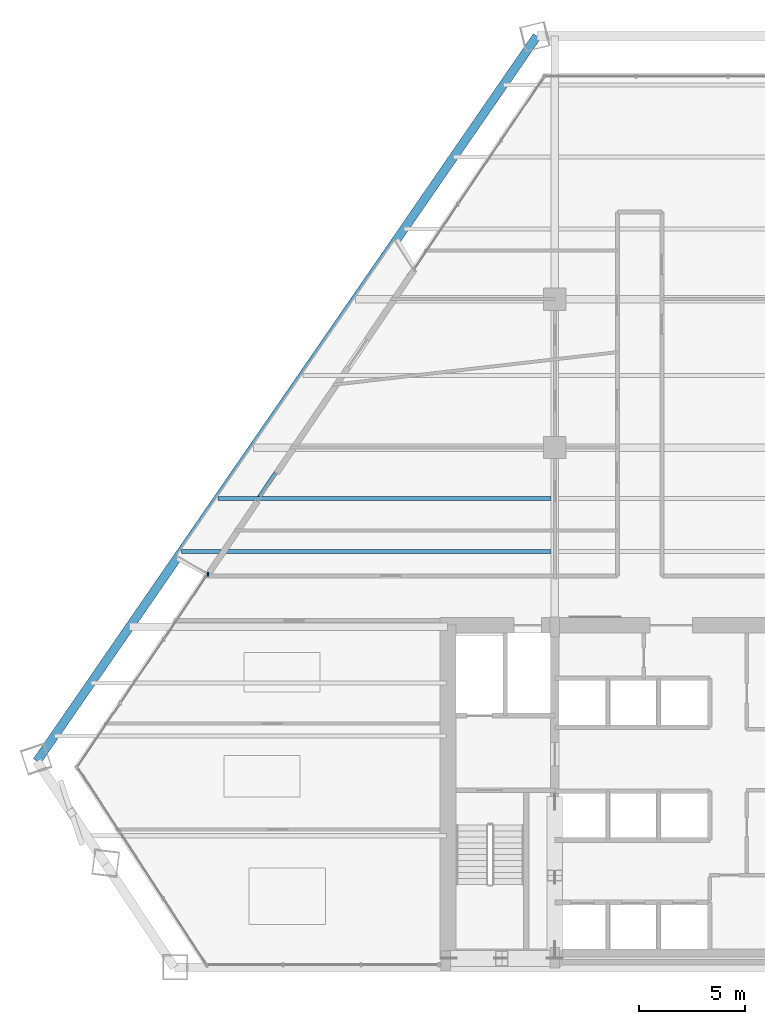
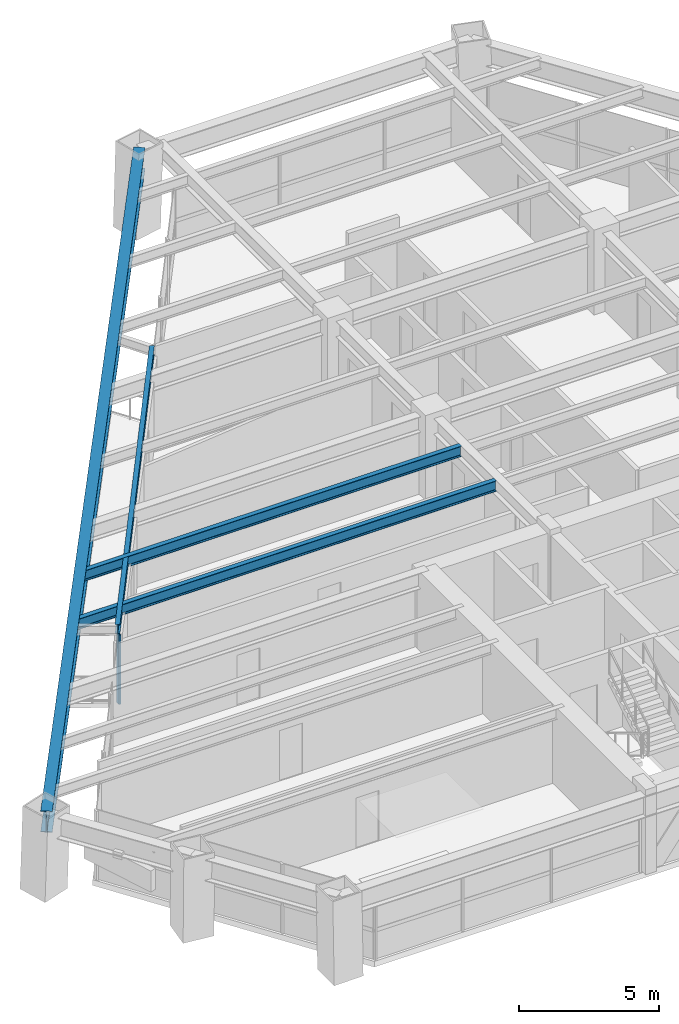
# One storey, part 4 of 14: 4 beams, 1 member, 1 element without a shape of its own.
"""IFC4 building model written with IfcOpenShell, lengths in metres."""

from ifc_helpers import new_model, si_unit, direction, frame, origin, origin_2d, place, context, subcontext, project, spatial, rectangle, i_section, extrude, source, transform, mapped, material, material_profile, profile_set, type_object, type_shapes, element, aggregate, save


model = new_model("IFC4")

# Units and contexts
model_context = context("Model", 3, precision=1e-05, world=origin(), true_north=direction((0.0, 1.0)))
body_context = subcontext(model_context, "Body", "Model", "MODEL_VIEW")
ifc_project = project(units=[si_unit("LENGTHUNIT", "METRE"), si_unit("AREAUNIT", "SQUARE_METRE"), si_unit("VOLUMEUNIT", "CUBIC_METRE"), si_unit("PLANEANGLEUNIT", "RADIAN"), si_unit("MASSUNIT", "GRAM", prefix="KILO")], contexts=[model_context])

# Site, building, storey
site_placement = place(None, origin())
site = spatial("IfcSite", under=ifc_project, at=site_placement, CompositionType="ELEMENT")
building_placement = place(site_placement, origin())
building = spatial("IfcBuilding", under=site, at=building_placement, Name="Varnakhor Terracotta Tower", CompositionType="ELEMENT")
storey_placement = place(building_placement, frame((0.0, 0.0, 80.300048828125)))
storey = spatial("IfcBuildingStorey", under=building, at=storey_placement, Name="L19", CompositionType="ELEMENT", Elevation=80.300048828125)

# Beams
ifc_material_1 = material(Name="Steel S355", Category="steel")
ifc_material_profile_1 = material_profile(ifc_material_1, i_section(OverallWidth=0.41796875, OverallDepth=0.927001953125, WebThickness=0.01904296875, FlangeThickness=0.031982421875, FilletRadius=0.01806640625, at=origin_2d()), Name="W36X231")
ifc_profile_set_1 = profile_set([ifc_material_profile_1], Name="Steel S355")
beam_type_1 = type_object("IfcBeamType", Name="BM-W36X231", PredefinedType="BEAM", material=ifc_profile_set_1)
shared_shape_1 = source(origin(), body_context, "Body", "SweptSolid", [
    extrude(i_section(OverallWidth=0.41796875, OverallDepth=0.927001953125, WebThickness=0.01904296875, FlangeThickness=0.031982421875, FilletRadius=0.01806640625, at=origin_2d()), origin(), (0.0, 0.0, 1.0), 41.53076171875),
])
beam_1_placement = place(storey_placement, frame((-6.335693359375, 43.902587890625, 2.986572265625), z_axis=(-0.567697101343, -0.823237511977, 0.0), x_axis=(0.823237511977, -0.567697101343, 0.0)))
element("IfcBeam", 1, at=beam_1_placement, inside=storey, type_object=beam_type_1, Name="L19 Perimeter Spandrel 6", PredefinedType="BEAM", context=body_context, shape_type="MappedRepresentation", body=[
    mapped(shared_shape_1, transform((0.0, 0.0, 0.0), scale=1.0)),
])
ifc_material_profile_2 = material_profile(ifc_material_1, i_section(OverallWidth=0.179931640625, OverallDepth=0.39990234375, WebThickness=0.008544921875, FlangeThickness=0.013427734375, FilletRadius=0.01806640625, at=origin_2d()), Name="IPE400")
ifc_profile_set_2 = profile_set([ifc_material_profile_2], Name="Steel S355")
beam_type_2 = type_object("IfcBeamType", Name="JST-IPE400", PredefinedType="JOIST", material=ifc_profile_set_2)
shared_shape_2 = source(origin(), body_context, "Body", "SweptSolid", [
    extrude(i_section(OverallWidth=0.179931640625, OverallDepth=0.39990234375, WebThickness=0.008544921875, FlangeThickness=0.013427734375, FilletRadius=0.01806640625, at=origin_2d()), origin(), (0.0, 0.0, 1.0), 17.43359375),
])
beam_2_placement = place(storey_placement, frame((-12.1357421875, 32.962646484375, 3.25), z_axis=(-0.559911719837, -0.828552271126, 0.0), x_axis=(0.828552271126, -0.559911719837, 0.0)))
element("IfcBeam", 2, at=beam_2_placement, inside=storey, type_object=beam_type_2, Name="L19 Loggia Edge Beam 2", PredefinedType="JOIST", context=body_context, shape_type="MappedRepresentation", body=[
    mapped(shared_shape_2, transform((0.0, 0.0, 0.0), scale=1.0)),
])
ifc_material_profile_3 = material_profile(ifc_material_1, i_section(OverallWidth=0.19189453125, OverallDepth=0.462890625, WebThickness=0.010498046875, FlangeThickness=0.017578125, FilletRadius=0.01806640625, at=origin_2d()), Name="W18X60")
ifc_profile_set_3 = profile_set([ifc_material_profile_3], Name="Steel S355")
beam_type_3 = type_object("IfcBeamType", Name="JST-W18X60", PredefinedType="JOIST", material=ifc_profile_set_3)
shared_shape_3 = source(origin(), body_context, "Body", "SweptSolid", [
    extrude(i_section(OverallWidth=0.19189453125, OverallDepth=0.462890625, WebThickness=0.010498046875, FlangeThickness=0.017578125, FilletRadius=0.01806640625, at=origin_2d()), origin(), (0.0, 0.0, 1.0), 17.4208984375),
])
beam_3_placement = place(storey_placement, frame((-23.094482421875, 19.60009765625, 3.218505859375), z_axis=(1.0, 0.0, 0.0), x_axis=(0.0, 1.0, 0.0)))
element("IfcBeam", 3, at=beam_3_placement, inside=storey, type_object=beam_type_3, Name="L19 Composite Floor Joist 4-1", PredefinedType="JOIST", context=body_context, shape_type="MappedRepresentation", body=[
    mapped(shared_shape_3, transform((0.0, 0.0, 0.0), scale=1.0)),
])
shared_shape_4 = source(origin(), body_context, "Body", "SweptSolid", [
    extrude(i_section(OverallWidth=0.19189453125, OverallDepth=0.462890625, WebThickness=0.010498046875, FlangeThickness=0.017578125, FilletRadius=0.01806640625, at=origin_2d()), origin(), (0.0, 0.0, 1.0), 15.697021484375),
])
beam_4_placement = place(storey_placement, frame((-21.37060546875, 22.10009765625, 3.218505859375), z_axis=(1.0, 0.0, 0.0), x_axis=(0.0, 1.0, 0.0)))
element("IfcBeam", 4, at=beam_4_placement, inside=storey, type_object=beam_type_3, Name="L19 Composite Floor Joist 5-1", PredefinedType="JOIST", context=body_context, shape_type="MappedRepresentation", body=[
    mapped(shared_shape_4, transform((0.0, 0.0, 0.0), scale=1.0)),
])

# Curtain wall, member
ifc_material_2 = material(Name="Anodised Aluminium Curtain Wall System", Category="aluminium")
curtain_wall_type = type_object("IfcCurtainWallType", Name="CW-SYS-LOW-OFFICE", PredefinedType="NOTDEFINED", material=ifc_material_2)
curtain_wall_placement = place(storey_placement, origin())
curtain_wall = element("IfcCurtainWall", 5, at=curtain_wall_placement, inside=storey, type_object=curtain_wall_type, Name="L19 W Facet Curtain Wall 1", PredefinedType="NOTDEFINED")
ifc_material_3 = material(Name="Anodised Aluminium 6063-T6", Category="aluminium")
ifc_material_profile_4 = material_profile(ifc_material_3, rectangle(XDim=0.074951171875, YDim=0.18505859375, at=origin_2d()), Name="ALU MULLION 75x185")
ifc_profile_set_4 = profile_set([ifc_material_profile_4], Name="Anodised Aluminium 6063-T6")
member_type = type_object("IfcMemberType", Name="CWM-02", PredefinedType="MULLION", material=ifc_profile_set_4)
shared_shape_5 = source(origin(), body_context, "Body", "SweptSolid", [
    extrude(rectangle(XDim=0.074951171875, YDim=0.18505859375, at=origin_2d()), origin(), (0.0, 0.0, 1.0), 3.030029296875),
])
type_shapes(member_type, [shared_shape_5])
member_placement = place(storey_placement, frame((-21.846435546875, 18.5205078125, 0.0), z_axis=(0.0, 0.0, 1.0), x_axis=(1.0, 0.0, 0.0)))
member = element("IfcMember", 6, at=member_placement, type_object=member_type, Name="L19 W Loggia Jamb Closure Mullion 1", PredefinedType="MULLION", context=body_context, shape_type="MappedRepresentation", body=[
    mapped(shared_shape_5, transform((0.0, 0.0, 0.0), scale=1.0)),
])
aggregate(curtain_wall, [member])

save(model, "model.ifc")
